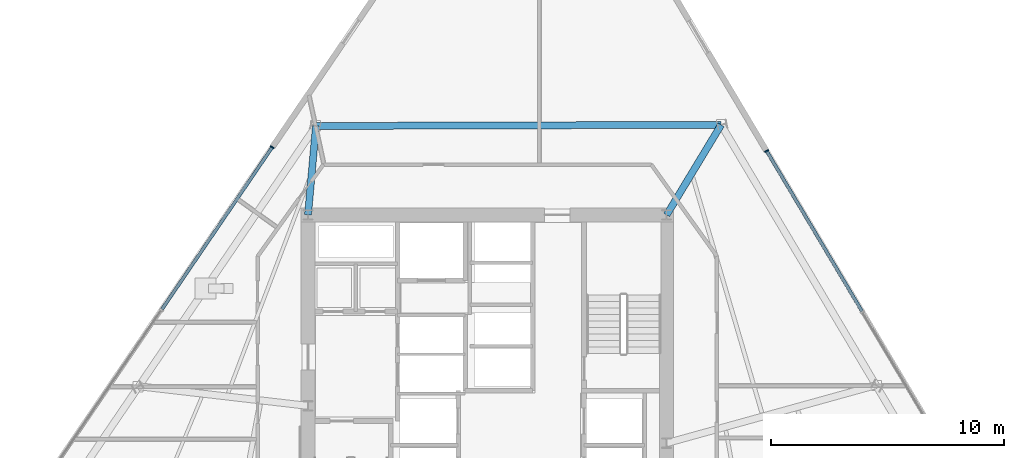
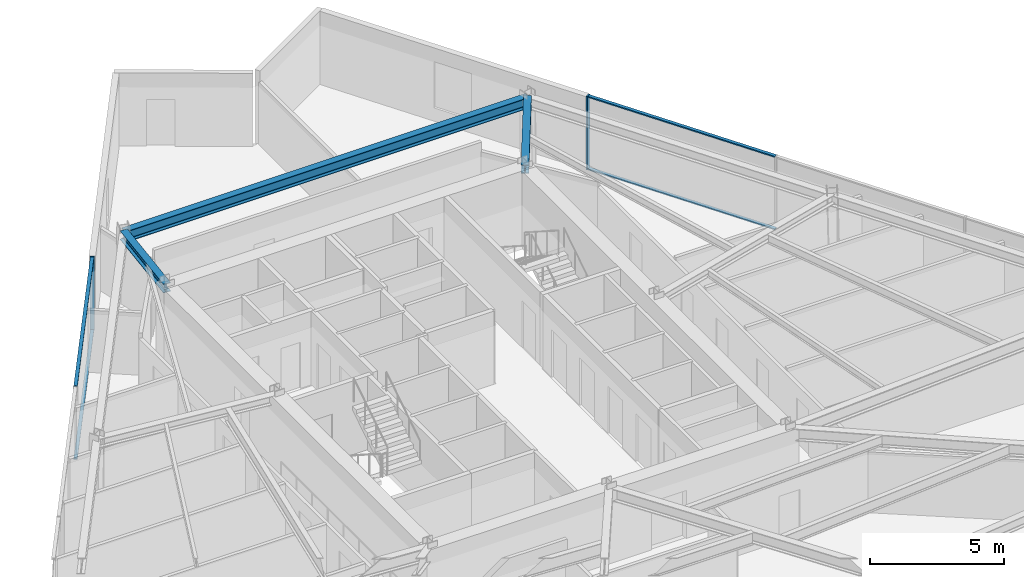
# One storey, part 6 of 15: 6 members, 3 beams, 2 elements without a shape of their own.
"""IFC4 building model written with IfcOpenShell, lengths in metres."""

from ifc_helpers import new_model, si_unit, direction, frame, origin, origin_2d, place, context, subcontext, project, spatial, rectangle, i_section, extrude, material, material_profile, profile_set, type_object, element, aggregate, save


model = new_model("IFC4")

# Units and contexts
model_context = context("Model", 3, precision=1e-05, world=origin(), true_north=direction((0.0, 1.0)))
body_context = subcontext(model_context, "Body", "Model", "MODEL_VIEW")
ifc_project = project(units=[si_unit("LENGTHUNIT", "METRE"), si_unit("AREAUNIT", "SQUARE_METRE"), si_unit("VOLUMEUNIT", "CUBIC_METRE"), si_unit("PLANEANGLEUNIT", "RADIAN"), si_unit("MASSUNIT", "GRAM", prefix="KILO")], contexts=[model_context])

# Site, building, storey
site_placement = place(None, origin())
site = spatial("IfcSite", under=ifc_project, at=site_placement, CompositionType="ELEMENT")
building_placement = place(site_placement, origin())
building = spatial("IfcBuilding", under=site, at=building_placement, Name="Savorim Split Tower", CompositionType="ELEMENT")
storey_placement = place(building_placement, frame((0.0, 0.0, 96.89990234375)))
storey = spatial("IfcBuildingStorey", under=building, at=storey_placement, Name="L25", CompositionType="ELEMENT", Elevation=96.89990234375)

# Beams
ifc_material_1 = material(Name="Steel S355", Category="steel")
ifc_material_profile_1 = material_profile(ifc_material_1, i_section(OverallWidth=0.300048828125, OverallDepth=0.39990234375, WebThickness=0.013427734375, FlangeThickness=0.02392578125, FilletRadius=0.027099609375, at=origin_2d()), Name="HEB 400")
ifc_profile_set_1 = profile_set([ifc_material_profile_1], Name="Steel S355")
beam_type_1 = type_object("IfcBeamType", Name="BM-PRI-HEB400", PredefinedType="BEAM", material=ifc_profile_set_1)
beam_1_placement = place(storey_placement, frame((10.04052734375, 14.0673828125, 3.150146484375), z_axis=(-0.517764192461, -0.855523372565, 0.0), x_axis=(0.855523372565, -0.517764192461, 0.0)))
element("IfcBeam", 1, at=beam_1_placement, inside=storey, type_object=beam_type_1, Name="L25 Primary Floor Girder RG-07", PredefinedType="BEAM", context=body_context, shape_type="SweptSolid", body=[
    extrude(i_section(OverallWidth=0.300048828125, OverallDepth=0.39990234375, WebThickness=0.013427734375, FlangeThickness=0.02392578125, FilletRadius=0.027099609375, at=origin_2d()), origin(), (0.0, 0.0, 1.0), 4.5205078125),
])
beam_2_placement = place(storey_placement, frame((-7.358642578125, 14.0185546875, 3.150146484375), z_axis=(-0.089025574958, -0.996029340433, 0.0), x_axis=(0.996029340433, -0.089025574958, 0.0)))
element("IfcBeam", 2, at=beam_2_placement, inside=storey, type_object=beam_type_1, Name="L25 Primary Floor Girder RG-08", PredefinedType="BEAM", context=body_context, shape_type="SweptSolid", body=[
    extrude(i_section(OverallWidth=0.300048828125, OverallDepth=0.39990234375, WebThickness=0.013427734375, FlangeThickness=0.02392578125, FilletRadius=0.027099609375, at=origin_2d()), origin(), (0.0, 0.0, 1.0), 3.833740234375),
])
ifc_material_profile_2 = material_profile(ifc_material_1, i_section(OverallWidth=0.300048828125, OverallDepth=0.489990234375, WebThickness=0.011962890625, FlangeThickness=0.02294921875, FilletRadius=0.027099609375, at=origin_2d()), Name="HEA 500")
ifc_profile_set_2 = profile_set([ifc_material_profile_2], Name="Steel S355")
beam_type_2 = type_object("IfcBeamType", Name="BM-SPN-HEA500", PredefinedType="SPANDREL", material=ifc_profile_set_2)
beam_3_placement = place(storey_placement, frame((10.04052734375, 14.0673828125, 3.10498046875), z_axis=(-0.999996062229, -0.002806336908, 0.0), x_axis=(0.002806336908, -0.999996062229, 0.0)))
element("IfcBeam", 3, at=beam_3_placement, inside=storey, type_object=beam_type_2, Name="L25 Perimeter Spandrel Beam 7", PredefinedType="SPANDREL", context=body_context, shape_type="SweptSolid", body=[
    extrude(i_section(OverallWidth=0.300048828125, OverallDepth=0.489990234375, WebThickness=0.011962890625, FlangeThickness=0.02294921875, FilletRadius=0.027099609375, at=origin_2d()), origin(), (0.0, 0.0, 1.0), 17.399169921875),
])

# Curtain wall, member
ifc_material_2 = material(Name="Dark Ceramic-Fritted Insulated Glass", Category="glass")
curtain_wall_type = type_object("IfcCurtainWallType", Name="CW-TWR-FRIT-A", PredefinedType="NOTDEFINED", material=ifc_material_2)
curtain_wall_1_placement = place(storey_placement, origin())
curtain_wall_1 = element("IfcCurtainWall", 4, at=curtain_wall_1_placement, inside=storey, type_object=curtain_wall_type, Name="L25 Curtain Wall CW-L25-EAST", PredefinedType="NOTDEFINED")
ifc_material_3 = material(Name="Charcoal Anodised Aluminium", Category="aluminium")
ifc_material_profile_3 = material_profile(ifc_material_3, rectangle(XDim=0.179931640625, YDim=0.06494140625, at=origin_2d()), Name="ALU-M 180x65")
ifc_profile_set_3 = profile_set([ifc_material_profile_3], Name="Charcoal Anodised Aluminium")
member_type_1 = type_object("IfcMemberType", Name="CWM-180x65", PredefinedType="MULLION", material=ifc_profile_set_3)
member_1_placement = place(storey_placement, frame((11.993408203125, 12.94482421875, 0.0), z_axis=(0.0, 0.0, 1.0), x_axis=(-0.859524537852, -0.511094481315, 0.0)))
member_1 = element("IfcMember", 5, at=member_1_placement, type_object=member_type_1, Name="CW-02 mullion 5", PredefinedType="MULLION", context=body_context, shape_type="SweptSolid", body=[
    extrude(rectangle(XDim=0.179931640625, YDim=0.06494140625, at=origin_2d()), origin(), (0.0, 0.0, 1.0), 3.35009765625),
])

curtain_wall_2_placement = place(storey_placement, origin())
curtain_wall_2 = element("IfcCurtainWall", 6, at=curtain_wall_2_placement, inside=storey, type_object=curtain_wall_type, Name="L25 Curtain Wall CW-L25-WEST", PredefinedType="NOTDEFINED")
member_2_placement = place(storey_placement, frame((-9.235595703125, 13.109130859375, 0.0), z_axis=(0.0, 0.0, 1.0), x_axis=(0.826819383915, -0.562467515846, 0.0)))
member_2 = element("IfcMember", 7, at=member_2_placement, type_object=member_type_1, Name="CW-02 mullion 1", PredefinedType="MULLION", context=body_context, shape_type="SweptSolid", body=[
    extrude(rectangle(XDim=0.179931640625, YDim=0.06494140625, at=origin_2d()), origin(), (0.0, 0.0, 1.0), 3.35009765625),
])

# Member
ifc_material_profile_4 = material_profile(ifc_material_3, rectangle(XDim=0.139892578125, YDim=0.054931640625, at=origin_2d()), Name="ALU-T 140x55")
ifc_profile_set_4 = profile_set([ifc_material_profile_4], Name="Charcoal Anodised Aluminium")
member_type_2 = type_object("IfcMemberType", Name="CWT-140x55", PredefinedType="USERDEFINED", material=ifc_profile_set_4)
member_3_placement = place(storey_placement, frame((16.090087890625, 6.05517578125, 0.027587890625), z_axis=(-0.511082720603, 0.859531530952, 0.0), x_axis=(-0.859531530952, -0.511082720603, 0.0)))
member_3 = element("IfcMember", 8, at=member_3_placement, type_object=member_type_2, Name="CW-02 transom 4.1", ObjectType="TRANSOM", PredefinedType="USERDEFINED", context=body_context, shape_type="SweptSolid", body=[
    extrude(rectangle(XDim=0.139892578125, YDim=0.054931640625, at=origin_2d()), origin(), (0.0, 0.0, 1.0), 7.983154296875),
])

member_4_placement = place(storey_placement, frame((16.090087890625, 6.05517578125, 3.322509765625), z_axis=(-0.511082720603, 0.859531530952, 0.0), x_axis=(-0.859531530952, -0.511082720603, 0.0)))
member_4 = element("IfcMember", 9, at=member_4_placement, type_object=member_type_2, Name="CW-02 transom 4.2", ObjectType="TRANSOM", PredefinedType="USERDEFINED", context=body_context, shape_type="SweptSolid", body=[
    extrude(rectangle(XDim=0.139892578125, YDim=0.054931640625, at=origin_2d()), origin(), (0.0, 0.0, 1.0), 7.983154296875),
])

aggregate(curtain_wall_1, [member_1, member_3, member_4])

member_5_placement = place(storey_placement, frame((-9.253662109375, 13.082275390625, 0.027587890625), z_axis=(-0.562465211689, -0.826820951379, 0.0), x_axis=(0.826820951379, -0.562465211689, 0.0)))
member_5 = element("IfcMember", 10, at=member_5_placement, type_object=member_type_2, Name="CW-02 transom 1.1", ObjectType="TRANSOM", PredefinedType="USERDEFINED", context=body_context, shape_type="SweptSolid", body=[
    extrude(rectangle(XDim=0.139892578125, YDim=0.054931640625, at=origin_2d()), origin(), (0.0, 0.0, 1.0), 8.390380859375),
])

member_6_placement = place(storey_placement, frame((-9.253662109375, 13.082275390625, 3.322509765625), z_axis=(-0.562465211689, -0.826820951379, 0.0), x_axis=(0.826820951379, -0.562465211689, 0.0)))
member_6 = element("IfcMember", 11, at=member_6_placement, type_object=member_type_2, Name="CW-02 transom 1.2", ObjectType="TRANSOM", PredefinedType="USERDEFINED", context=body_context, shape_type="SweptSolid", body=[
    extrude(rectangle(XDim=0.139892578125, YDim=0.054931640625, at=origin_2d()), origin(), (0.0, 0.0, 1.0), 8.390380859375),
])

aggregate(curtain_wall_2, [member_2, member_5, member_6])

save(model, "model.ifc")
